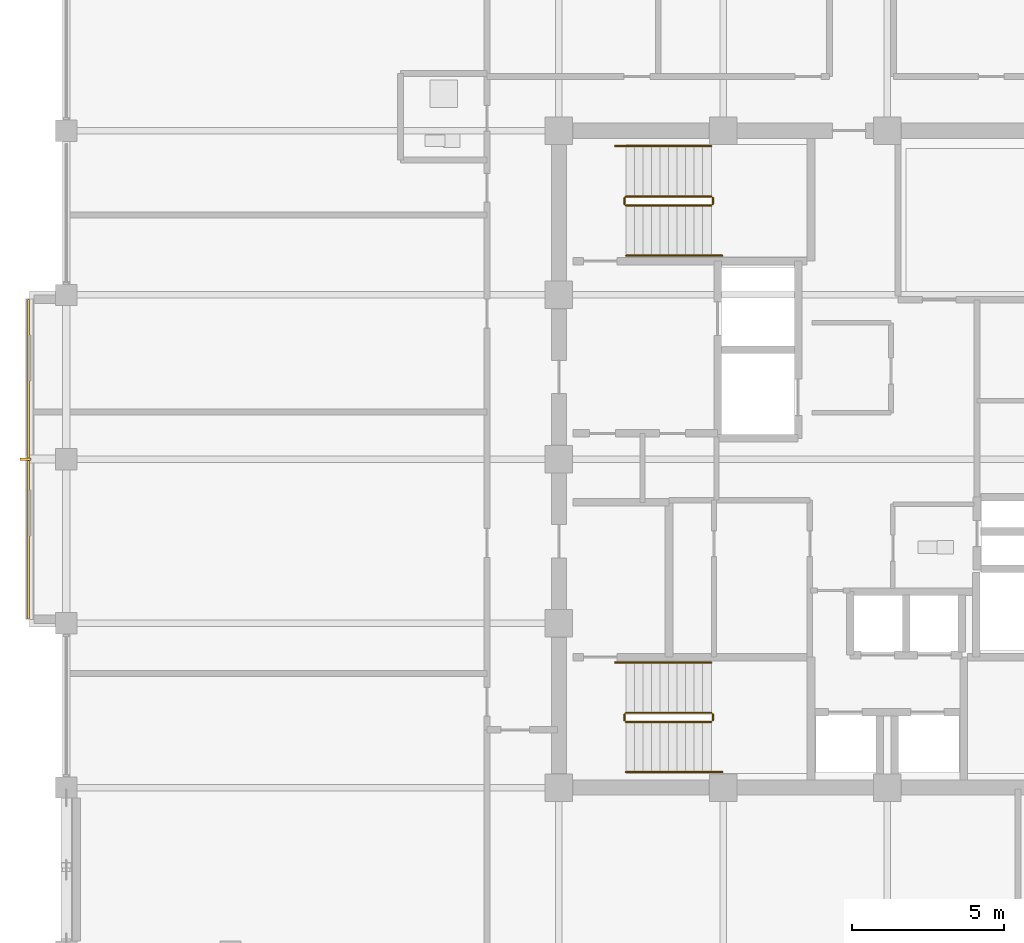
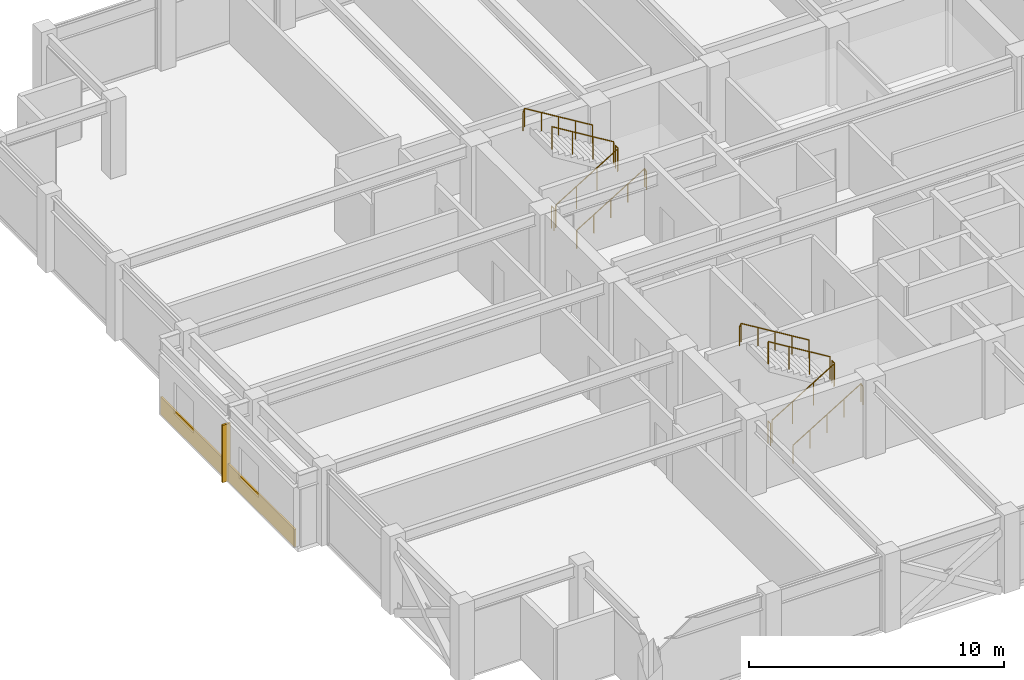
# One storey, part 28 of 30: 12 railings, 1 covering, 1 shading device.
"""IFC4 building model written with IfcOpenShell, lengths in metres."""

from ifc_helpers import new_model, si_unit, direction, frame, origin, origin_2d, place, context, subcontext, project, spatial, rectangle, circle, extrude, material, layer, layer_set, type_object, element, save


model = new_model("IFC4")

# Units and contexts
model_context = context("Model", 3, precision=1e-05, world=origin(), true_north=direction((0.0, 1.0)))
body_context = subcontext(model_context, "Body", "Model", "MODEL_VIEW")
ifc_project = project(units=[si_unit("LENGTHUNIT", "METRE"), si_unit("AREAUNIT", "SQUARE_METRE"), si_unit("VOLUMEUNIT", "CUBIC_METRE"), si_unit("PLANEANGLEUNIT", "RADIAN"), si_unit("MASSUNIT", "GRAM", prefix="KILO")], contexts=[model_context])

# Site, building, storey
site_placement = place(None, origin())
site = spatial("IfcSite", under=ifc_project, at=site_placement, CompositionType="ELEMENT")
building_placement = place(site_placement, origin())
building = spatial("IfcBuilding", under=site, at=building_placement, Name="Surkhivell Harbour Commons", CompositionType="ELEMENT")
storey_placement = place(building_placement, frame((0.0, 0.0, 307.5)))
storey = spatial("IfcBuildingStorey", under=building, at=storey_placement, Name="L80", CompositionType="ELEMENT", Elevation=307.5)

# Covering
ifc_material_1 = material(Name="Emerald-teal enamelled aluminium cassette panel", Category="aluminium")
ifc_layer = layer(ifc_material_1, 0.068115234375)
ifc_layer_set = layer_set([ifc_layer], Name="Emerald-teal enamelled aluminium cassette panel")
covering_type = type_object("IfcCoveringType", Name="COV-CLAD-EME", PredefinedType="CLADDING", material=ifc_layer_set)
covering_placement = place(storey_placement, frame((-28.239990234375, 0.0, 0.0), z_axis=(0.0, 0.0, 1.0), x_axis=(1.0, 0.0, 0.0)))
element("IfcCovering", 1, at=covering_placement, inside=storey, type_object=covering_type, Name="L80 Coloured-Panel Box Spandrel Cassette 02", PredefinedType="CLADDING", context=body_context, shape_type="SweptSolid", body=[
    extrude(rectangle(XDim=0.080078125, YDim=10.5, at=origin_2d()), origin(), (0.0, 0.0, 1.0), 0.840087890625),
])

# Railings
ifc_material_2 = material(Name="Galvanised and painted steel S355 guard rail", Category="steel")
railing_type_1 = type_object("IfcRailingType", Name="RAL-ST-GRD1100", PredefinedType="GUARDRAIL", material=ifc_material_2)
railing_1_placement = place(storey_placement, frame((-8.590087890625, 8.340087890625, 0.17041015625)))
element("IfcRailing", 2, at=railing_1_placement, inside=storey, type_object=railing_type_1, Name="L80 ST1 stair guard 1", PredefinedType="GUARDRAIL", context=body_context, shape_type="SweptSolid", body=[
    extrude(circle(Radius=0.02392578125, at=origin_2d()), frame((0.0, 0.0, 1.076171875), z_axis=(0.854169791009, 0.0, 0.51999420009), x_axis=(0.0, 1.0, 0.0)), (0.0, 0.0, 1.0), 3.278076171875),
    extrude(circle(Radius=0.02099609375, at=origin_2d()), origin(), (0.0, 0.0, 1.0), 1.052001953125),
    extrude(circle(Radius=0.02099609375, at=origin_2d()), frame((0.933349609375, 0.0, 0.568115234375)), (0.0, 0.0, 1.0), 1.052001953125),
    extrude(circle(Radius=0.02099609375, at=origin_2d()), frame((1.86669921875, 0.0, 1.136474609375)), (0.0, 0.0, 1.0), 1.052001953125),
    extrude(circle(Radius=0.02099609375, at=origin_2d()), frame((2.800048828125, 0.0, 1.70458984375)), (0.0, 0.0, 1.0), 1.052001953125),
])
railing_2_placement = place(storey_placement, frame((-5.739990234375, 8.389892578125, 1.875)))
element("IfcRailing", 3, at=railing_2_placement, inside=storey, type_object=railing_type_1, Name="L80 ST1 stair guard 2", PredefinedType="GUARDRAIL", context=body_context, shape_type="SweptSolid", body=[
    extrude(circle(Radius=0.02392578125, at=origin_2d()), frame((0.0, 0.0, 1.076171875), z_axis=(0.0, 1.0, 0.0), x_axis=(-1.0, 0.0, 0.0)), (0.0, 0.0, 1.0), 0.2001953125),
    extrude(circle(Radius=0.02099609375, at=origin_2d()), origin(), (0.0, 0.0, 1.0), 1.052001953125),
    extrude(circle(Radius=0.02099609375, at=origin_2d()), frame((0.0, 0.2001953125, 0.0)), (0.0, 0.0, 1.0), 1.052001953125),
])
railing_3_placement = place(storey_placement, frame((-5.7900390625, 8.639892578125, 2.04541015625)))
element("IfcRailing", 4, at=railing_3_placement, inside=storey, type_object=railing_type_1, Name="L80 ST1 stair guard 3", PredefinedType="GUARDRAIL", context=body_context, shape_type="SweptSolid", body=[
    extrude(circle(Radius=0.02392578125, at=origin_2d()), frame((0.0, 0.0, 1.076171875), z_axis=(-0.854169791009, 0.0, 0.51999420009), x_axis=(0.0, -1.0, 0.0)), (0.0, 0.0, 1.0), 3.278076171875),
    extrude(circle(Radius=0.02099609375, at=origin_2d()), origin(), (0.0, 0.0, 1.0), 1.052001953125),
    extrude(circle(Radius=0.02099609375, at=origin_2d()), frame((-0.933349609375, 0.0, 0.568115234375)), (0.0, 0.0, 1.0), 1.052001953125),
    extrude(circle(Radius=0.02099609375, at=origin_2d()), frame((-1.86669921875, 0.0, 1.136474609375)), (0.0, 0.0, 1.0), 1.052001953125),
    extrude(circle(Radius=0.02099609375, at=origin_2d()), frame((-2.800048828125, 0.0, 1.70458984375)), (0.0, 0.0, 1.0), 1.052001953125),
])
railing_4_placement = place(storey_placement, frame((-8.639892578125, 8.389892578125, 0.0)))
element("IfcRailing", 5, at=railing_4_placement, inside=storey, type_object=railing_type_1, Name="L80 ST1 stair guard 4", PredefinedType="GUARDRAIL", context=body_context, shape_type="SweptSolid", body=[
    extrude(circle(Radius=0.02392578125, at=origin_2d()), frame((0.0, 0.0, 1.076171875), z_axis=(0.0, 1.0, 0.0), x_axis=(-1.0, 0.0, 0.0)), (0.0, 0.0, 1.0), 0.2001953125),
    extrude(circle(Radius=0.02099609375, at=origin_2d()), origin(), (0.0, 0.0, 1.0), 1.052001953125),
    extrude(circle(Radius=0.02099609375, at=origin_2d()), frame((0.0, 0.2001953125, 0.0)), (0.0, 0.0, 1.0), 1.052001953125),
])
railing_5_placement = place(storey_placement, frame((-8.590087890625, -8.639892578125, 0.17041015625)))
element("IfcRailing", 6, at=railing_5_placement, inside=storey, type_object=railing_type_1, Name="L80 ST3 stair guard 1", PredefinedType="GUARDRAIL", context=body_context, shape_type="SweptSolid", body=[
    extrude(circle(Radius=0.02392578125, at=origin_2d()), frame((0.0, 0.0, 1.076171875), z_axis=(0.854169791009, 0.0, 0.51999420009), x_axis=(0.0, 1.0, 0.0)), (0.0, 0.0, 1.0), 3.278076171875),
    extrude(circle(Radius=0.02099609375, at=origin_2d()), origin(), (0.0, 0.0, 1.0), 1.052001953125),
    extrude(circle(Radius=0.02099609375, at=origin_2d()), frame((0.933349609375, 0.0, 0.568115234375)), (0.0, 0.0, 1.0), 1.052001953125),
    extrude(circle(Radius=0.02099609375, at=origin_2d()), frame((1.86669921875, 0.0, 1.136474609375)), (0.0, 0.0, 1.0), 1.052001953125),
    extrude(circle(Radius=0.02099609375, at=origin_2d()), frame((2.800048828125, 0.0, 1.70458984375)), (0.0, 0.0, 1.0), 1.052001953125),
])
railing_6_placement = place(storey_placement, frame((-5.739990234375, -8.590087890625, 1.875)))
element("IfcRailing", 7, at=railing_6_placement, inside=storey, type_object=railing_type_1, Name="L80 ST3 stair guard 2", PredefinedType="GUARDRAIL", context=body_context, shape_type="SweptSolid", body=[
    extrude(circle(Radius=0.02392578125, at=origin_2d()), frame((0.0, 0.0, 1.076171875), z_axis=(0.0, 1.0, 0.0), x_axis=(-1.0, 0.0, 0.0)), (0.0, 0.0, 1.0), 0.2001953125),
    extrude(circle(Radius=0.02099609375, at=origin_2d()), origin(), (0.0, 0.0, 1.0), 1.052001953125),
    extrude(circle(Radius=0.02099609375, at=origin_2d()), frame((0.0, 0.2001953125, 0.0)), (0.0, 0.0, 1.0), 1.052001953125),
])
railing_7_placement = place(storey_placement, frame((-5.7900390625, -8.340087890625, 2.04541015625)))
element("IfcRailing", 8, at=railing_7_placement, inside=storey, type_object=railing_type_1, Name="L80 ST3 stair guard 3", PredefinedType="GUARDRAIL", context=body_context, shape_type="SweptSolid", body=[
    extrude(circle(Radius=0.02392578125, at=origin_2d()), frame((0.0, 0.0, 1.076171875), z_axis=(-0.854169791009, 0.0, 0.51999420009), x_axis=(0.0, -1.0, 0.0)), (0.0, 0.0, 1.0), 3.278076171875),
    extrude(circle(Radius=0.02099609375, at=origin_2d()), origin(), (0.0, 0.0, 1.0), 1.052001953125),
    extrude(circle(Radius=0.02099609375, at=origin_2d()), frame((-0.933349609375, 0.0, 0.568115234375)), (0.0, 0.0, 1.0), 1.052001953125),
    extrude(circle(Radius=0.02099609375, at=origin_2d()), frame((-1.86669921875, 0.0, 1.136474609375)), (0.0, 0.0, 1.0), 1.052001953125),
    extrude(circle(Radius=0.02099609375, at=origin_2d()), frame((-2.800048828125, 0.0, 1.70458984375)), (0.0, 0.0, 1.0), 1.052001953125),
])
railing_8_placement = place(storey_placement, frame((-8.639892578125, -8.590087890625, 0.0)))
element("IfcRailing", 9, at=railing_8_placement, inside=storey, type_object=railing_type_1, Name="L80 ST3 stair guard 4", PredefinedType="GUARDRAIL", context=body_context, shape_type="SweptSolid", body=[
    extrude(circle(Radius=0.02392578125, at=origin_2d()), frame((0.0, 0.0, 1.076171875), z_axis=(0.0, 1.0, 0.0), x_axis=(-1.0, 0.0, 0.0)), (0.0, 0.0, 1.0), 0.2001953125),
    extrude(circle(Radius=0.02099609375, at=origin_2d()), origin(), (0.0, 0.0, 1.0), 1.052001953125),
    extrude(circle(Radius=0.02099609375, at=origin_2d()), frame((0.0, 0.2001953125, 0.0)), (0.0, 0.0, 1.0), 1.052001953125),
])
ifc_material_3 = material(Name="Brushed stainless steel S355 handrail", Category="steel")
railing_type_2 = type_object("IfcRailingType", Name="RAL-ST-HND900", PredefinedType="HANDRAIL", material=ifc_material_3)
railing_9_placement = place(storey_placement, frame((-8.590087890625, 6.68994140625, 0.17041015625)))
element("IfcRailing", 10, at=railing_9_placement, inside=storey, type_object=railing_type_2, Name="L80 ST1 stair handrail 1", PredefinedType="HANDRAIL", context=body_context, shape_type="SweptSolid", body=[
    extrude(circle(Radius=0.02392578125, at=origin_2d()), frame((0.0, 0.0, 0.8759765625), z_axis=(0.854177636135, 0.0, 0.519981313056), x_axis=(0.0, 1.0, 0.0)), (0.0, 0.0, 1.0), 3.60595703125),
    extrude(circle(Radius=0.02392578125, at=origin_2d()), frame((3.080078125, 0.0, 2.7509765625), z_axis=(0.425297416671, 0.0, -0.905053648892), x_axis=(0.0, 1.0, 0.0)), (0.0, 0.0, 1.0), 0.188232421875),
    extrude(circle(Radius=0.02099609375, at=origin_2d()), origin(), (0.0, 0.0, 1.0), 0.851806640625),
    extrude(circle(Radius=0.02099609375, at=origin_2d()), frame((0.77001953125, 0.0, 0.46875)), (0.0, 0.0, 1.0), 0.851806640625),
    extrude(circle(Radius=0.02099609375, at=origin_2d()), frame((1.5400390625, 0.0, 0.9375)), (0.0, 0.0, 1.0), 0.851806640625),
    extrude(circle(Radius=0.02099609375, at=origin_2d()), frame((2.31005859375, 0.0, 1.40625)), (0.0, 0.0, 1.0), 0.851806640625),
    extrude(circle(Radius=0.02099609375, at=origin_2d()), frame((3.080078125, 0.0, 1.875)), (0.0, 0.0, 1.0), 0.851806640625),
    extrude(circle(Radius=0.02099609375, at=origin_2d()), frame((3.16015625, 0.0, 1.70458984375)), (0.0, 0.0, 1.0), 0.851806640625),
])
railing_10_placement = place(storey_placement, frame((-5.7900390625, 10.2900390625, 2.04541015625)))
element("IfcRailing", 11, at=railing_10_placement, inside=storey, type_object=railing_type_2, Name="L80 ST1 stair handrail 2", PredefinedType="HANDRAIL", context=body_context, shape_type="SweptSolid", body=[
    extrude(circle(Radius=0.02392578125, at=origin_2d()), frame((0.0, 0.0, 0.8759765625), z_axis=(-0.854177636135, 0.0, 0.519981313056), x_axis=(0.0, -1.0, 0.0)), (0.0, 0.0, 1.0), 3.60595703125),
    extrude(circle(Radius=0.02392578125, at=origin_2d()), frame((-3.080078125, 0.0, 2.7509765625), z_axis=(-0.424234432967, 0.0, -0.905552398199), x_axis=(0.0, -1.0, 0.0)), (0.0, 0.0, 1.0), 0.188232421875),
    extrude(circle(Radius=0.02099609375, at=origin_2d()), origin(), (0.0, 0.0, 1.0), 0.851806640625),
    extrude(circle(Radius=0.02099609375, at=origin_2d()), frame((-0.77001953125, 0.0, 0.46875)), (0.0, 0.0, 1.0), 0.851806640625),
    extrude(circle(Radius=0.02099609375, at=origin_2d()), frame((-1.5400390625, 0.0, 0.9375)), (0.0, 0.0, 1.0), 0.851806640625),
    extrude(circle(Radius=0.02099609375, at=origin_2d()), frame((-2.31005859375, 0.0, 1.40625)), (0.0, 0.0, 1.0), 0.851806640625),
    extrude(circle(Radius=0.02099609375, at=origin_2d()), frame((-3.080078125, 0.0, 1.875)), (0.0, 0.0, 1.0), 0.851806640625),
    extrude(circle(Radius=0.02099609375, at=origin_2d()), frame((-3.159912109375, 0.0, 1.70458984375)), (0.0, 0.0, 1.0), 0.851806640625),
])
railing_11_placement = place(storey_placement, frame((-8.590087890625, -10.2900390625, 0.17041015625)))
element("IfcRailing", 12, at=railing_11_placement, inside=storey, type_object=railing_type_2, Name="L80 ST3 stair handrail 1", PredefinedType="HANDRAIL", context=body_context, shape_type="SweptSolid", body=[
    extrude(circle(Radius=0.02392578125, at=origin_2d()), frame((0.0, 0.0, 0.8759765625), z_axis=(0.854177636135, 0.0, 0.519981313056), x_axis=(0.0, 1.0, 0.0)), (0.0, 0.0, 1.0), 3.60595703125),
    extrude(circle(Radius=0.02392578125, at=origin_2d()), frame((3.080078125, 0.0, 2.7509765625), z_axis=(0.425297416671, 0.0, -0.905053648892), x_axis=(0.0, 1.0, 0.0)), (0.0, 0.0, 1.0), 0.188232421875),
    extrude(circle(Radius=0.02099609375, at=origin_2d()), origin(), (0.0, 0.0, 1.0), 0.851806640625),
    extrude(circle(Radius=0.02099609375, at=origin_2d()), frame((0.77001953125, 0.0, 0.46875)), (0.0, 0.0, 1.0), 0.851806640625),
    extrude(circle(Radius=0.02099609375, at=origin_2d()), frame((1.5400390625, 0.0, 0.9375)), (0.0, 0.0, 1.0), 0.851806640625),
    extrude(circle(Radius=0.02099609375, at=origin_2d()), frame((2.31005859375, 0.0, 1.40625)), (0.0, 0.0, 1.0), 0.851806640625),
    extrude(circle(Radius=0.02099609375, at=origin_2d()), frame((3.080078125, 0.0, 1.875)), (0.0, 0.0, 1.0), 0.851806640625),
    extrude(circle(Radius=0.02099609375, at=origin_2d()), frame((3.16015625, 0.0, 1.70458984375)), (0.0, 0.0, 1.0), 0.851806640625),
])
railing_12_placement = place(storey_placement, frame((-5.7900390625, -6.68994140625, 2.04541015625)))
element("IfcRailing", 13, at=railing_12_placement, inside=storey, type_object=railing_type_2, Name="L80 ST3 stair handrail 2", PredefinedType="HANDRAIL", context=body_context, shape_type="SweptSolid", body=[
    extrude(circle(Radius=0.02392578125, at=origin_2d()), frame((0.0, 0.0, 0.8759765625), z_axis=(-0.854177636135, 0.0, 0.519981313056), x_axis=(0.0, -1.0, 0.0)), (0.0, 0.0, 1.0), 3.60595703125),
    extrude(circle(Radius=0.02392578125, at=origin_2d()), frame((-3.080078125, 0.0, 2.7509765625), z_axis=(-0.424234432967, 0.0, -0.905552398199), x_axis=(0.0, -1.0, 0.0)), (0.0, 0.0, 1.0), 0.188232421875),
    extrude(circle(Radius=0.02099609375, at=origin_2d()), origin(), (0.0, 0.0, 1.0), 0.851806640625),
    extrude(circle(Radius=0.02099609375, at=origin_2d()), frame((-0.77001953125, 0.0, 0.46875)), (0.0, 0.0, 1.0), 0.851806640625),
    extrude(circle(Radius=0.02099609375, at=origin_2d()), frame((-1.5400390625, 0.0, 0.9375)), (0.0, 0.0, 1.0), 0.851806640625),
    extrude(circle(Radius=0.02099609375, at=origin_2d()), frame((-2.31005859375, 0.0, 1.40625)), (0.0, 0.0, 1.0), 0.851806640625),
    extrude(circle(Radius=0.02099609375, at=origin_2d()), frame((-3.080078125, 0.0, 1.875)), (0.0, 0.0, 1.0), 0.851806640625),
    extrude(circle(Radius=0.02099609375, at=origin_2d()), frame((-3.159912109375, 0.0, 1.70458984375)), (0.0, 0.0, 1.0), 0.851806640625),
])

# Shading device
ifc_material_4 = material(Name="Anodised pale-metal aluminium solar fin", Category="aluminium")
shading_device_type = type_object("IfcShadingDeviceType", Name="SHD-FIN-VERT", PredefinedType="USERDEFINED", material=ifc_material_4)
shading_device_placement = place(storey_placement, frame((-28.340087890625, 0.0, 0.0048828125), z_axis=(0.0, 0.0, 1.0), x_axis=(1.0, 0.0, 0.0)))
element("IfcShadingDevice", 14, at=shading_device_placement, inside=storey, type_object=shading_device_type, Name="L80 Coloured-Box Solar Fin 02", ObjectType="FIN", PredefinedType="USERDEFINED", context=body_context, shape_type="SweptSolid", body=[
    extrude(rectangle(XDim=0.360107421875, YDim=0.090087890625, at=origin_2d()), origin(), (0.0, 0.0, 1.0), 2.75),
])

save(model, "model.ifc")
